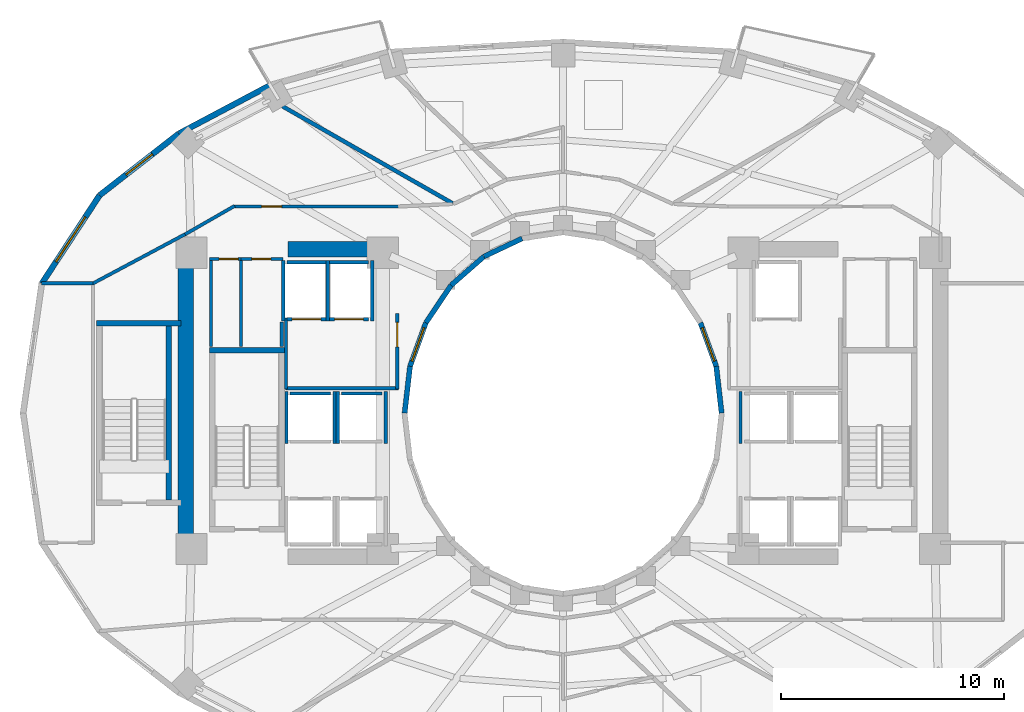
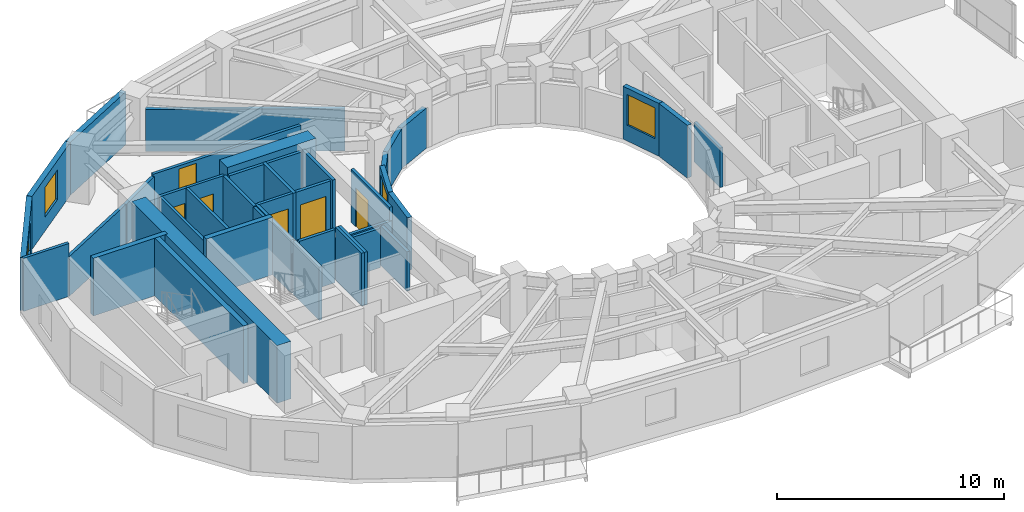
# One storey, part 8 of 14: 42 walls, 6 doors, 4 windows, 10 openings.
"""IFC4 building model written with IfcOpenShell, lengths in metres."""

from ifc_helpers import new_model, si_unit, direction, frame, frame_2d, origin, place, context, subcontext, project, spatial, rectangle, extrude, material, layer, layer_set, type_object, element, fill, save


model = new_model("IFC4")

# Units and contexts
model_context = context("Model", 3, precision=1e-05, world=origin(), true_north=direction((0.0, 1.0)))
body_context = subcontext(model_context, "Body", "Model", "MODEL_VIEW")
ifc_project = project(units=[si_unit("LENGTHUNIT", "METRE"), si_unit("AREAUNIT", "SQUARE_METRE"), si_unit("VOLUMEUNIT", "CUBIC_METRE"), si_unit("PLANEANGLEUNIT", "RADIAN"), si_unit("MASSUNIT", "GRAM", prefix="KILO")], contexts=[model_context])

# Site, building, storey
site_placement = place(None, origin())
site = spatial("IfcSite", under=ifc_project, at=site_placement, CompositionType="ELEMENT")
building_placement = place(site_placement, origin())
building = spatial("IfcBuilding", under=site, at=building_placement, Name="Solvane Sanctuary Tower", CompositionType="ELEMENT")
storey_placement = place(building_placement, frame((0.0, 0.0, 88.699951171875)))
storey = spatial("IfcBuildingStorey", under=building, at=storey_placement, Name="L26", CompositionType="ELEMENT", Elevation=88.699951171875)

# Walls
ifc_material_1 = material(Name="Concrete C60/75", Category="concrete")
ifc_layer_1 = layer(ifc_material_1, 0.699951171875, Name="Concrete C60/75")
ifc_layer_set_1 = layer_set([ifc_layer_1], Name="Concrete C60/75")
wall_type_1 = type_object("IfcWallType", Name="Wall W-CORE-700", PredefinedType="SHEAR", material=ifc_layer_set_1)
wall_1_placement = place(storey_placement, frame((15.050048828125, 17.050048828125, 0.0), z_axis=(0.0, 0.0, 1.0), x_axis=(0.0, 1.0, 0.0)))
element("IfcWall", 1, at=wall_1_placement, inside=storey, type_object=wall_type_1, Name="L26 Core Shear Wall WC-W", PredefinedType="SHEAR", context=body_context, shape_type="SweptSolid", body=[
    extrude(rectangle(XDim=12.800048828125, YDim=0.699951171875, at=frame_2d((6.39990234375, 0.0))), origin(), (0.0, 0.0, 1.0), 3.10009765625),
])
wall_2_placement = place(storey_placement, frame((19.64990234375, 30.35009765625, 0.0), z_axis=(0.0, 0.0, 1.0), x_axis=(1.0, 0.0, 0.0)))
element("IfcWall", 2, at=wall_2_placement, inside=storey, type_object=wall_type_1, Name="L26 Core Shear Wall WC-N", PredefinedType="SHEAR", context=body_context, shape_type="SweptSolid", body=[
    extrude(rectangle(XDim=4.5, YDim=0.699951171875, at=frame_2d((2.25, 0.0))), origin(), (0.0, 0.0, 1.0), 3.10009765625),
])
ifc_material_2 = material(Name="Acoustic Gypsum Partition Board")
ifc_layer_2 = layer(ifc_material_2, 0.14990234375, Name="Acoustic Gypsum Partition Board")
ifc_layer_set_2 = layer_set([ifc_layer_2], Name="Acoustic Gypsum Partition Board")
wall_type_2 = type_object("IfcWallType", Name="Wall W-CORR-150", PredefinedType="PARTITIONING", material=ifc_layer_set_2)
wall_3_placement = place(storey_placement, frame((19.52001953125, 24.1201171875, 0.0), z_axis=(0.0, 0.0, 1.0), x_axis=(1.0, 0.0, 0.0)))
element("IfcWall", 3, at=wall_3_placement, inside=storey, type_object=wall_type_2, Name="L26 West Firefighting Lobby South Wall", PredefinedType="PARTITIONING", context=body_context, shape_type="SweptSolid", body=[
    extrude(rectangle(XDim=5.080078125, YDim=0.14990234375, at=frame_2d((2.5400390625, 0.0))), origin(), (0.0, 0.0, 1.0), 2.1201171875),
])
wall_4_placement = place(storey_placement, frame((19.550048828125, 24.080078125, 0.0), z_axis=(0.0, 0.0, 1.0), x_axis=(0.0, 1.0, 0.0)))
element("IfcWall", 4, at=wall_4_placement, inside=storey, type_object=wall_type_2, Name="L26 West Firefighting Lobby West Wall", PredefinedType="PARTITIONING", context=body_context, shape_type="SweptSolid", body=[
    extrude(rectangle(XDim=3.199951171875, YDim=0.14990234375, at=frame_2d((1.60009765625, 0.0))), origin(), (0.0, 0.0, 1.0), 2.85498046875),
])

# Wall, opening, door
wall_5_placement = place(storey_placement, frame((24.550048828125, 24.080078125, 0.0), z_axis=(0.0, 0.0, 1.0), x_axis=(0.0, 1.0, 0.0)))
wall_5 = element("IfcWall", 5, at=wall_5_placement, inside=storey, type_object=wall_type_2, Name="L26 West Firefighting Lobby East Wall", PredefinedType="PARTITIONING", context=body_context, shape_type="SweptSolid", body=[
    extrude(rectangle(XDim=3.39990234375, YDim=0.14990234375, at=frame_2d((1.699951171875, 0.0))), origin(), (0.0, 0.0, 1.0), 2.85498046875),
])
opening_1_placement = place(wall_5_placement, frame((1.893798828125, 0.0, 0.0)))
opening_1 = element("IfcOpeningElement", 6, at=opening_1_placement, cuts=wall_5, Name="Opening D-L26-08", PredefinedType="OPENING", context=body_context, shape_type="SweptSolid", body=[
    extrude(rectangle(XDim=1.10009765625, YDim=2.10009765625, at=frame_2d((0.550048828125, 1.050048828125))), frame((0.0, 0.0849609375, 0.0), z_axis=(0.0, -1.0, 0.0), x_axis=(1.0, 0.0, 0.0)), (0.0, 0.0, 1.0), 0.169921875),
])
ifc_material_3 = material(Name="Architectural Stainless Steel 316", Category="steel")
door_type_1 = type_object("IfcDoorType", Name="Door D-FFL", OperationType="NOTDEFINED", PredefinedType="DOOR", material=ifc_material_3)
door_1_placement = place(opening_1_placement, origin())
door_1 = element("IfcDoor", 7, at=door_1_placement, inside=storey, type_object=door_type_1, Name="L26 West Firefighting Lobby Fire Door", OperationType="SINGLE_SWING_LEFT", OverallHeight=2.10009765625, OverallWidth=1.10009765625, PredefinedType="DOOR", context=body_context, shape_type="SweptSolid", body=[
    extrude(rectangle(XDim=1.10009765625, YDim=2.10009765625, at=frame_2d((0.550048828125, 1.050048828125))), frame((0.0, 0.02490234375, 0.0), z_axis=(0.0, -1.0, 0.0), x_axis=(1.0, 0.0, 0.0)), (0.0, 0.0, 1.0), 0.050048828125),
])
fill(opening_1, door_1)

# Walls
wall_6_placement = place(storey_placement, frame((8.558349609375, 28.8251953125, 0.0), z_axis=(0.0, 0.0, 1.0), x_axis=(1.0, 0.0, 0.0)))
element("IfcWall", 8, at=wall_6_placement, inside=storey, type_object=wall_type_2, Name="L26 West Shoulder North Wall", PredefinedType="PARTITIONING", context=body_context, shape_type="SweptSolid", body=[
    extrude(rectangle(XDim=2.321533203125, YDim=0.14990234375, at=frame_2d((1.16064453125, 0.0))), origin(), (0.0, 0.0, 1.0), 2.85498046875),
])
wall_7_placement = place(storey_placement, frame((10.8447265625, 28.806396484375, 0.0), z_axis=(0.0, 0.0, 1.0), x_axis=(0.88227840565, 0.470727962759, 0.0)))
element("IfcWall", 9, at=wall_7_placement, inside=storey, type_object=wall_type_2, Name="L26 NW Corner Closer 1", PredefinedType="PARTITIONING", context=body_context, shape_type="SweptSolid", body=[
    extrude(rectangle(XDim=4.806396484375, YDim=0.14990234375, at=frame_2d((2.4033203125, 0.0))), origin(), (0.0, 0.0, 1.0), 2.14208984375),
])

# Wall, opening, door
wall_8_placement = place(storey_placement, frame((17.14990234375, 32.280029296875, 0.0), z_axis=(0.0, 0.0, 1.0), x_axis=(1.0, 0.0, 0.0)))
wall_8 = element("IfcWall", 10, at=wall_8_placement, inside=storey, type_object=wall_type_2, Name="L26 NW Corner Corridor Wall", PredefinedType="PARTITIONING", context=body_context, shape_type="SweptSolid", body=[
    extrude(rectangle(XDim=7.52001953125, YDim=0.14990234375, at=frame_2d((3.760009765625, 0.0))), origin(), (0.0, 0.0, 1.0), 2.27197265625),
])
opening_2_placement = place(wall_8_placement, frame((1.300048828125, 0.0, 0.0)))
opening_2 = element("IfcOpeningElement", 11, at=opening_2_placement, cuts=wall_8, Name="Opening D-L26-17", PredefinedType="OPENING", context=body_context, shape_type="SweptSolid", body=[
    extrude(rectangle(XDim=0.89990234375, YDim=2.10009765625, at=frame_2d((0.449951171875, 1.050048828125))), frame((0.0, 0.0849609375, 0.0), z_axis=(0.0, -1.0, 0.0), x_axis=(1.0, 0.0, 0.0)), (0.0, 0.0, 1.0), 0.169921875),
])
ifc_material_4 = material(Name="Engineered Tropical Hardwood", Category="wood")
door_type_2 = type_object("IfcDoorType", Name="Door D-WET-900", OperationType="NOTDEFINED", PredefinedType="DOOR", material=ifc_material_4)
door_2_placement = place(opening_2_placement, origin())
door_2 = element("IfcDoor", 12, at=door_2_placement, inside=storey, type_object=door_type_2, Name="L26 NW Corner Salon Door", OperationType="SINGLE_SWING_RIGHT", OverallHeight=2.10009765625, OverallWidth=0.89990234375, PredefinedType="DOOR", context=body_context, shape_type="SweptSolid", body=[
    extrude(rectangle(XDim=0.89990234375, YDim=2.10009765625, at=frame_2d((0.449951171875, 1.050048828125))), frame((0.0, 0.02490234375, 0.0), z_axis=(0.0, -1.0, 0.0), x_axis=(1.0, 0.0, 0.0)), (0.0, 0.0, 1.0), 0.050048828125),
])
fill(opening_2, door_2)

# Walls
wall_9_placement = place(storey_placement, frame((17.243408203125, 32.3046875, 0.0), z_axis=(0.0, 0.0, 1.0), x_axis=(-0.867991349648, -0.496579315857, 0.0)))
element("IfcWall", 13, at=wall_9_placement, inside=storey, type_object=wall_type_2, Name="L26 NW Corner Wing Wall", PredefinedType="PARTITIONING", context=body_context, shape_type="SweptSolid", body=[
    extrude(rectangle(XDim=2.56689453125, YDim=0.14990234375, at=frame_2d((1.283447265625, 0.0))), origin(), (0.0, 0.0, 1.0), 2.14208984375),
])
ifc_material_5 = material(Name="Precast concrete C40/50", Category="concrete")
ifc_layer_3 = layer(ifc_material_5, 0.260009765625, Name="Precast concrete C40/50")
ifc_layer_set_3 = layer_set([ifc_layer_3], Name="Precast concrete C40/50")
wall_type_3 = type_object("IfcWallType", Name="Wall W-EXT-250", PredefinedType="STANDARD", material=ifc_layer_set_3)
wall_10_placement = place(storey_placement, frame((18.82666015625, 37.72119140625, 0.0), z_axis=(0.0, 0.0, 1.0), x_axis=(-0.883668636807, -0.4681129568, 0.0)))
element("IfcWall", 14, at=wall_10_placement, inside=storey, type_object=wall_type_3, Name="L26 Ceramic-Printed Facade Wall 08", PredefinedType="STANDARD", context=body_context, shape_type="SweptSolid", body=[
    extrude(rectangle(XDim=4.63134765625, YDim=0.260009765625, at=frame_2d((2.315673828125, 0.0))), origin(), (0.0, 0.0, 1.0), 2.85009765625),
])

# Wall, opening, window
wall_11_placement = place(storey_placement, frame((14.734130859375, 35.55322265625, 0.0), z_axis=(0.0, 0.0, 1.0), x_axis=(-0.789127449954, -0.614229491094, 0.0)))
wall_11 = element("IfcWall", 15, at=wall_11_placement, inside=storey, type_object=wall_type_3, Name="L26 Ceramic-Printed Facade Wall 09", PredefinedType="STANDARD", context=body_context, shape_type="SweptSolid", body=[
    extrude(rectangle(XDim=4.504638671875, YDim=0.260009765625, at=frame_2d((2.25244140625, 0.0))), origin(), (0.0, 0.0, 1.0), 2.85009765625),
])
opening_3_placement = place(wall_11_placement, frame((1.502197265625, 0.0, 0.75)))
opening_3 = element("IfcOpeningElement", 16, at=opening_3_placement, cuts=wall_11, Name="Opening WN-OPER-1500", PredefinedType="OPENING", context=body_context, shape_type="SweptSolid", body=[
    extrude(rectangle(XDim=1.5, YDim=1.60009765625, at=frame_2d((0.75, 0.800048828125))), frame((0.0, 0.139892578125, 0.0), z_axis=(0.0, -1.0, 0.0), x_axis=(1.0, 0.0, 0.0)), (0.0, 0.0, 1.0), 0.280029296875),
])
ifc_material_6 = material(Name="Dark Ceramic-Fritted Low-E Glass", Category="glass")
window_type_1 = type_object("IfcWindowType", Name="Window WN-OPER-1500", PartitioningType="SINGLE_PANEL", PredefinedType="WINDOW", material=ifc_material_6)
window_1_placement = place(opening_3_placement, origin())
window_1 = element("IfcWindow", 17, at=window_1_placement, inside=storey, type_object=window_type_1, Name="L26 Operable Facade Window 09", OverallHeight=1.60009765625, OverallWidth=1.5, PartitioningType="SINGLE_PANEL", PredefinedType="WINDOW", context=body_context, shape_type="SweptSolid", body=[
    extrude(rectangle(XDim=1.5, YDim=1.60009765625, at=frame_2d((0.75, 0.800048828125))), frame((0.0, 0.030029296875, 0.0), z_axis=(0.0, -1.0, 0.0), x_axis=(1.0, 0.0, 0.0)), (0.0, 0.0, 1.0), 0.06005859375),
])
fill(opening_3, window_1)

wall_12_placement = place(storey_placement, frame((11.179443359375, 32.786376953125, 0.0), z_axis=(0.0, 0.0, 1.0), x_axis=(-0.548283220945, -0.836292717672, 0.0)))
wall_12 = element("IfcWall", 18, at=wall_12_placement, inside=storey, type_object=wall_type_3, Name="L26 Ceramic-Printed Facade Wall 10", PredefinedType="STANDARD", context=body_context, shape_type="SweptSolid", body=[
    extrude(rectangle(XDim=4.744384765625, YDim=0.260009765625, at=frame_2d((2.3720703125, 0.0))), origin(), (0.0, 0.0, 1.0), 2.85009765625),
])
opening_4_placement = place(wall_12_placement, frame((1.172119140625, 0.0, 0.75)))
opening_4 = element("IfcOpeningElement", 19, at=opening_4_placement, cuts=wall_12, Name="Opening WN-RIB-2400", PredefinedType="OPENING", context=body_context, shape_type="SweptSolid", body=[
    extrude(rectangle(XDim=2.39990234375, YDim=1.699951171875, at=frame_2d((1.199951171875, 0.85009765625))), frame((0.0, 0.139892578125, 0.0), z_axis=(0.0, -1.0, 0.0), x_axis=(1.0, 0.0, 0.0)), (0.0, 0.0, 1.0), 0.280029296875),
])
window_type_2 = type_object("IfcWindowType", Name="Window WN-RIB-2400", PartitioningType="SINGLE_PANEL", PredefinedType="WINDOW", material=ifc_material_6)
window_2_placement = place(opening_4_placement, origin())
window_2 = element("IfcWindow", 20, at=window_2_placement, inside=storey, type_object=window_type_2, Name="L26 Operable Facade Window 10", OverallHeight=1.699951171875, OverallWidth=2.39990234375, PartitioningType="SINGLE_PANEL", PredefinedType="WINDOW", context=body_context, shape_type="SweptSolid", body=[
    extrude(rectangle(XDim=2.39990234375, YDim=1.699951171875, at=frame_2d((1.199951171875, 0.85009765625))), frame((0.0, 0.030029296875, 0.0), z_axis=(0.0, -1.0, 0.0), x_axis=(1.0, 0.0, 0.0)), (0.0, 0.0, 1.0), 0.06005859375),
])
fill(opening_4, window_2)

# Wall
ifc_layer_4 = layer(ifc_material_5, 0.22998046875, Name="Precast concrete C40/50")
ifc_layer_set_4 = layer_set([ifc_layer_4], Name="Precast concrete C40/50")
wall_type_4 = type_object("IfcWallType", Name="Wall W-EXT-SP220", PredefinedType="STANDARD", material=ifc_layer_set_4)
wall_13_placement = place(storey_placement, frame((39.1201171875, 23.0, 0.0), z_axis=(0.0, 0.0, 1.0), x_axis=(-0.114711713601, 0.993398823617, 0.0)))
element("IfcWall", 21, at=wall_13_placement, inside=storey, type_object=wall_type_4, Name="L26 Central Light-Well Wall 00", PredefinedType="STANDARD", context=body_context, shape_type="SweptSolid", body=[
    extrude(rectangle(XDim=2.115478515625, YDim=0.22998046875, at=frame_2d((1.0576171875, 0.0))), origin(), (0.0, 0.0, 1.0), 2.840087890625),
])

# Wall, opening, window
wall_14_placement = place(storey_placement, frame((38.87744140625, 25.1015625, 0.0), z_axis=(0.0, 0.0, 1.0), x_axis=(-0.341423187295, 0.93990968033, 0.0)))
wall_14 = element("IfcWall", 22, at=wall_14_placement, inside=storey, type_object=wall_type_4, Name="L26 Central Light-Well Wall 01", PredefinedType="STANDARD", context=body_context, shape_type="SweptSolid", body=[
    extrude(rectangle(XDim=2.083740234375, YDim=0.22998046875, at=frame_2d((1.0419921875, 0.0))), origin(), (0.0, 0.0, 1.0), 2.840087890625),
])
opening_5_placement = place(wall_14_placement, frame((0.24169921875, 0.0, 0.85009765625)))
opening_5 = element("IfcOpeningElement", 23, at=opening_5_placement, cuts=wall_14, Name="Opening WN-WELL-1600", PredefinedType="OPENING", context=body_context, shape_type="SweptSolid", body=[
    extrude(rectangle(XDim=1.60009765625, YDim=1.64990234375, at=frame_2d((0.800048828125, 0.824951171875))), frame((0.0, 0.125, 0.0), z_axis=(0.0, -1.0, 0.0), x_axis=(1.0, 0.0, 0.0)), (0.0, 0.0, 1.0), 0.25),
])
ifc_material_7 = material(Name="Clear Laminated Light-Well Glass", Category="glass")
window_type_3 = type_object("IfcWindowType", Name="Window WN-WELL-1600", PartitioningType="SINGLE_PANEL", PredefinedType="WINDOW", material=ifc_material_7)
window_3_placement = place(opening_5_placement, origin())
window_3 = element("IfcWindow", 24, at=window_3_placement, inside=storey, type_object=window_type_3, Name="L26 Light-Well Daylight Window 01", OverallHeight=1.64990234375, OverallWidth=1.60009765625, PartitioningType="SINGLE_PANEL", PredefinedType="WINDOW", context=body_context, shape_type="SweptSolid", body=[
    extrude(rectangle(XDim=1.60009765625, YDim=1.64990234375, at=frame_2d((0.800048828125, 0.824951171875))), frame((0.0, 0.030029296875, 0.0), z_axis=(0.0, -1.0, 0.0), x_axis=(1.0, 0.0, 0.0)), (0.0, 0.0, 1.0), 0.06005859375),
])
fill(opening_5, window_3)

# Walls
wall_15_placement = place(storey_placement, frame((30.1572265625, 30.84326171875, 0.0), z_axis=(0.0, 0.0, 1.0), x_axis=(-0.904179699603, -0.427152280606, 0.0)))
element("IfcWall", 25, at=wall_15_placement, inside=storey, type_object=wall_type_4, Name="L26 Central Light-Well Wall 07", PredefinedType="STANDARD", context=body_context, shape_type="SweptSolid", body=[
    extrude(rectangle(XDim=1.899169921875, YDim=0.22998046875, at=frame_2d((0.94970703125, 0.0))), origin(), (0.0, 0.0, 1.0), 2.16015625),
])
wall_16_placement = place(storey_placement, frame((28.43994140625, 30.031982421875, 0.0), z_axis=(0.0, 0.0, 1.0), x_axis=(-0.752576694707, -0.658504607869, 0.0)))
element("IfcWall", 26, at=wall_16_placement, inside=storey, type_object=wall_type_4, Name="L26 Central Light-Well Wall 08", PredefinedType="STANDARD", context=body_context, shape_type="SweptSolid", body=[
    extrude(rectangle(XDim=1.95947265625, YDim=0.22998046875, at=frame_2d((0.979736328125, 0.0))), origin(), (0.0, 0.0, 1.0), 2.16015625),
])
wall_17_placement = place(storey_placement, frame((26.96533203125, 28.74169921875, 0.0), z_axis=(0.0, 0.0, 1.0), x_axis=(-0.558197800898, -0.829707909492, 0.0)))
element("IfcWall", 27, at=wall_17_placement, inside=storey, type_object=wall_type_4, Name="L26 Central Light-Well Wall 09", PredefinedType="STANDARD", context=body_context, shape_type="SweptSolid", body=[
    extrude(rectangle(XDim=2.02685546875, YDim=0.22998046875, at=frame_2d((1.013427734375, 0.0))), origin(), (0.0, 0.0, 1.0), 2.16015625),
])

# Wall, opening, window
wall_18_placement = place(storey_placement, frame((25.833984375, 27.06005859375, 0.0), z_axis=(0.0, 0.0, 1.0), x_axis=(-0.341423187295, -0.93990968033, 0.0)))
wall_18 = element("IfcWall", 28, at=wall_18_placement, inside=storey, type_object=wall_type_4, Name="L26 Central Light-Well Wall 10", PredefinedType="STANDARD", context=body_context, shape_type="SweptSolid", body=[
    extrude(rectangle(XDim=2.083740234375, YDim=0.22998046875, at=frame_2d((1.0419921875, 0.0))), origin(), (0.0, 0.0, 1.0), 2.840087890625),
])
opening_6_placement = place(wall_18_placement, frame((0.24169921875, 0.0, 0.85009765625)))
opening_6 = element("IfcOpeningElement", 29, at=opening_6_placement, cuts=wall_18, Name="Opening WN-WELL-1600", PredefinedType="OPENING", context=body_context, shape_type="SweptSolid", body=[
    extrude(rectangle(XDim=1.60009765625, YDim=1.64990234375, at=frame_2d((0.800048828125, 0.824951171875))), frame((0.0, 0.125, 0.0), z_axis=(0.0, -1.0, 0.0), x_axis=(1.0, 0.0, 0.0)), (0.0, 0.0, 1.0), 0.25),
])
window_4_placement = place(opening_6_placement, origin())
window_4 = element("IfcWindow", 30, at=window_4_placement, inside=storey, type_object=window_type_3, Name="L26 Light-Well Daylight Window 10", OverallHeight=1.64990234375, OverallWidth=1.60009765625, PartitioningType="SINGLE_PANEL", PredefinedType="WINDOW", context=body_context, shape_type="SweptSolid", body=[
    extrude(rectangle(XDim=1.60009765625, YDim=1.64990234375, at=frame_2d((0.800048828125, 0.824951171875))), frame((0.0, 0.030029296875, 0.0), z_axis=(0.0, -1.0, 0.0), x_axis=(1.0, 0.0, 0.0)), (0.0, 0.0, 1.0), 0.06005859375),
])
fill(opening_6, window_4)

# Walls
wall_19_placement = place(storey_placement, frame((25.12255859375, 25.1015625, 0.0), z_axis=(0.0, 0.0, 1.0), x_axis=(-0.114711713601, -0.993398823617, 0.0)))
element("IfcWall", 31, at=wall_19_placement, inside=storey, type_object=wall_type_4, Name="L26 Central Light-Well Wall 11", PredefinedType="STANDARD", context=body_context, shape_type="SweptSolid", body=[
    extrude(rectangle(XDim=2.115478515625, YDim=0.22998046875, at=frame_2d((1.0576171875, 0.0))), origin(), (0.0, 0.0, 1.0), 2.840087890625),
])
ifc_material_8 = material(Name="Concrete C50/60", Category="concrete")
ifc_layer_5 = layer(ifc_material_8, 0.14990234375, Name="Concrete C50/60")
ifc_layer_set_5 = layer_set([ifc_layer_5], Name="Concrete C50/60")
wall_type_5 = type_object("IfcWallType", Name="Wall W-SHAFT-150", PredefinedType="SOLIDWALL", material=ifc_layer_set_5)
wall_20_placement = place(storey_placement, frame((19.739990234375, 23.8798828125, 0.0), z_axis=(0.0, 0.0, 1.0), x_axis=(1.0, 0.0, 0.0)))
element("IfcWall", 32, at=wall_20_placement, inside=storey, type_object=wall_type_5, Name="L26 PM-1 Lift Shaft Wall B", PredefinedType="SOLIDWALL", context=body_context, shape_type="SweptSolid", body=[
    extrude(rectangle(XDim=1.820068359375, YDim=0.14990234375, at=frame_2d((0.91015625, 0.0))), origin(), (0.0, 0.0, 1.0), 2.85498046875),
])
for number, where, z_axis, x_axis, name in (
    (33, (19.570068359375, 21.639892578125, 0.0), (0.0, 0.0, 1.0), (0.0, 1.0, 0.0), "L26 PM-1 Lift Shaft Wall S1"),
    (34, (21.72998046875, 21.639892578125, 0.0), (0.0, 0.0, 1.0), (0.0, 1.0, 0.0), "L26 PM-1 Lift Shaft Wall S2"),
):
    element("IfcWall", number, at=place(storey_placement, frame(where, z_axis=z_axis, x_axis=x_axis)), inside=storey, type_object=wall_type_5, Name=name, PredefinedType="SOLIDWALL", context=body_context, shape_type="SweptSolid", body=[
        extrude(rectangle(XDim=2.320068359375, YDim=0.14990234375, at=frame_2d((1.16015625, 0.0))), origin(), (0.0, 0.0, 1.0), 2.85498046875),
    ])
wall_21_placement = place(storey_placement, frame((22.0400390625, 23.8798828125, 0.0), z_axis=(0.0, 0.0, 1.0), x_axis=(1.0, 0.0, 0.0)))
element("IfcWall", 35, at=wall_21_placement, inside=storey, type_object=wall_type_5, Name="L26 PH-1 Lift Shaft Wall B", PredefinedType="SOLIDWALL", context=body_context, shape_type="SweptSolid", body=[
    extrude(rectangle(XDim=1.820068359375, YDim=0.14990234375, at=frame_2d((0.91015625, 0.0))), origin(), (0.0, 0.0, 1.0), 2.1201171875),
])
wall_22_placement = place(storey_placement, frame((21.8701171875, 21.639892578125, 0.0), z_axis=(0.0, 0.0, 1.0), x_axis=(0.0, 1.0, 0.0)))
element("IfcWall", 36, at=wall_22_placement, inside=storey, type_object=wall_type_5, Name="L26 PH-1 Lift Shaft Wall S1", PredefinedType="SOLIDWALL", context=body_context, shape_type="SweptSolid", body=[
    extrude(rectangle(XDim=2.320068359375, YDim=0.14990234375, at=frame_2d((1.16015625, 0.0))), origin(), (0.0, 0.0, 1.0), 2.85498046875),
])
for number, where, z_axis, x_axis, name in (
    (37, (24.030029296875, 21.639892578125, 0.0), (0.0, 0.0, 1.0), (0.0, 1.0, 0.0), "L26 PH-1 Lift Shaft Wall S2"),
    (38, (39.969970703125, 21.639892578125, 0.0), (0.0, 0.0, 1.0), (0.0, 1.0, 0.0), "L26 PH-2 Lift Shaft Wall S1"),
):
    element("IfcWall", number, at=place(storey_placement, frame(where, z_axis=z_axis, x_axis=x_axis)), inside=storey, type_object=wall_type_5, Name=name, PredefinedType="SOLIDWALL", context=body_context, shape_type="SweptSolid", body=[
        extrude(rectangle(XDim=2.320068359375, YDim=0.14990234375, at=frame_2d((1.16015625, 0.0))), origin(), (0.0, 0.0, 1.0), 2.1201171875),
    ])

# Wall, opening, door
wall_23_placement = place(storey_placement, frame((19.590087890625, 27.219970703125, 0.0), z_axis=(0.0, 0.0, 1.0), x_axis=(1.0, 0.0, 0.0)))
wall_23 = element("IfcWall", 39, at=wall_23_placement, inside=storey, type_object=wall_type_5, Name="L26 FFL-1 Lift Shaft Wall F", PredefinedType="SOLIDWALL", context=body_context, shape_type="SweptSolid", body=[
    extrude(rectangle(XDim=1.760009765625, YDim=0.14990234375, at=frame_2d((0.8798828125, 0.0))), origin(), (0.0, 0.0, 1.0), 2.85498046875),
])
opening_7_placement = place(wall_23_placement, frame((0.22998046875, 0.0, 0.0)))
opening_7 = element("IfcOpeningElement", 40, at=opening_7_placement, cuts=wall_23, Name="Opening LD-L26-05", PredefinedType="OPENING", context=body_context, shape_type="SweptSolid", body=[
    extrude(rectangle(XDim=1.300048828125, YDim=2.10009765625, at=frame_2d((0.64990234375, 1.050048828125))), frame((0.0, 0.0849609375, 0.0), z_axis=(0.0, -1.0, 0.0), x_axis=(1.0, 0.0, 0.0)), (0.0, 0.0, 1.0), 0.169921875),
])
door_type_3 = type_object("IfcDoorType", Name="Door LD-FFL-1300", OperationType="NOTDEFINED", PredefinedType="DOOR", material=ifc_material_3)
door_3_placement = place(opening_7_placement, origin())
door_3 = element("IfcDoor", 41, at=door_3_placement, inside=storey, type_object=door_type_3, Name="L26 FFL-1 Lift Landing Door", OperationType="DOUBLE_DOOR_SLIDING", OverallHeight=2.10009765625, OverallWidth=1.300048828125, PredefinedType="DOOR", context=body_context, shape_type="SweptSolid", body=[
    extrude(rectangle(XDim=1.300048828125, YDim=2.10009765625, at=frame_2d((0.64990234375, 1.050048828125))), frame((0.0, 0.02490234375, 0.0), z_axis=(0.0, -1.0, 0.0), x_axis=(1.0, 0.0, 0.0)), (0.0, 0.0, 1.0), 0.050048828125),
])
fill(opening_7, door_3)

# Walls
wall_24_placement = place(storey_placement, frame((19.590087890625, 29.780029296875, 0.0), z_axis=(0.0, 0.0, 1.0), x_axis=(1.0, 0.0, 0.0)))
element("IfcWall", 42, at=wall_24_placement, inside=storey, type_object=wall_type_5, Name="L26 FFL-1 Lift Shaft Wall B", PredefinedType="SOLIDWALL", context=body_context, shape_type="SweptSolid", body=[
    extrude(rectangle(XDim=1.760009765625, YDim=0.14990234375, at=frame_2d((0.8798828125, 0.0))), origin(), (0.0, 0.0, 1.0), 2.85498046875),
])
for number, where, z_axis, x_axis, name in (
    (43, (19.419921875, 27.139892578125, 0.0), (0.0, 0.0, 1.0), (0.0, 1.0, 0.0), "L26 FFL-1 Lift Shaft Wall S1"),
    (44, (21.425048828125, 27.139892578125, 0.0), (0.0, 0.0, 1.0), (0.0, 1.0, 0.0), "L26 FFL-1 Lift Shaft Wall S2"),
):
    element("IfcWall", number, at=place(storey_placement, frame(where, z_axis=z_axis, x_axis=x_axis)), inside=storey, type_object=wall_type_5, Name=name, PredefinedType="SOLIDWALL", context=body_context, shape_type="SweptSolid", body=[
        extrude(rectangle(XDim=2.72021484375, YDim=0.14990234375, at=frame_2d((1.360107421875, 0.0))), origin(), (0.0, 0.0, 1.0), 2.85498046875),
    ])

# Wall, opening, door
wall_25_placement = place(storey_placement, frame((21.5, 27.219970703125, 0.0), z_axis=(0.0, 0.0, 1.0), x_axis=(1.0, 0.0, 0.0)))
wall_25 = element("IfcWall", 45, at=wall_25_placement, inside=storey, type_object=wall_type_5, Name="L26 SVL-1 Lift Shaft Wall F", PredefinedType="SOLIDWALL", context=body_context, shape_type="SweptSolid", body=[
    extrude(rectangle(XDim=1.760009765625, YDim=0.14990234375, at=frame_2d((0.8798828125, 0.0))), origin(), (0.0, 0.0, 1.0), 2.85498046875),
])
opening_8_placement = place(wall_25_placement, frame((0.22998046875, 0.0, 0.0)))
opening_8 = element("IfcOpeningElement", 46, at=opening_8_placement, cuts=wall_25, Name="Opening LD-L26-06", PredefinedType="OPENING", context=body_context, shape_type="SweptSolid", body=[
    extrude(rectangle(XDim=1.300048828125, YDim=2.10009765625, at=frame_2d((0.64990234375, 1.050048828125))), frame((0.0, 0.0849609375, 0.0), z_axis=(0.0, -1.0, 0.0), x_axis=(1.0, 0.0, 0.0)), (0.0, 0.0, 1.0), 0.169921875),
])
door_4_placement = place(opening_8_placement, origin())
door_4 = element("IfcDoor", 47, at=door_4_placement, inside=storey, type_object=door_type_3, Name="L26 SVL-1 Lift Landing Door", OperationType="DOUBLE_DOOR_SLIDING", OverallHeight=2.10009765625, OverallWidth=1.300048828125, PredefinedType="DOOR", context=body_context, shape_type="SweptSolid", body=[
    extrude(rectangle(XDim=1.300048828125, YDim=2.10009765625, at=frame_2d((0.64990234375, 1.050048828125))), frame((0.0, 0.02490234375, 0.0), z_axis=(0.0, -1.0, 0.0), x_axis=(1.0, 0.0, 0.0)), (0.0, 0.0, 1.0), 0.050048828125),
])
fill(opening_8, door_4)

# Walls
wall_26_placement = place(storey_placement, frame((21.5, 29.780029296875, 0.0), z_axis=(0.0, 0.0, 1.0), x_axis=(1.0, 0.0, 0.0)))
element("IfcWall", 48, at=wall_26_placement, inside=storey, type_object=wall_type_5, Name="L26 SVL-1 Lift Shaft Wall B", PredefinedType="SOLIDWALL", context=body_context, shape_type="SweptSolid", body=[
    extrude(rectangle(XDim=1.760009765625, YDim=0.14990234375, at=frame_2d((0.8798828125, 0.0))), origin(), (0.0, 0.0, 1.0), 2.85498046875),
])
wall_27_placement = place(storey_placement, frame((23.429931640625, 27.139892578125, 0.0), z_axis=(0.0, 0.0, 1.0), x_axis=(0.0, 1.0, 0.0)))
element("IfcWall", 49, at=wall_27_placement, inside=storey, type_object=wall_type_5, Name="L26 SVL-1 Lift Shaft Wall S2", PredefinedType="SOLIDWALL", context=body_context, shape_type="SweptSolid", body=[
    extrude(rectangle(XDim=2.72021484375, YDim=0.14990234375, at=frame_2d((1.360107421875, 0.0))), origin(), (0.0, 0.0, 1.0), 2.85498046875),
])
ifc_layer_6 = layer(ifc_material_8, 0.25, Name="Concrete C50/60")
ifc_layer_set_6 = layer_set([ifc_layer_6], Name="Concrete C50/60")
wall_type_6 = type_object("IfcWallType", Name="Wall W-SHAFT-250", PredefinedType="SOLIDWALL", material=ifc_layer_set_6)
wall_28_placement = place(storey_placement, frame((16.10498046875, 25.830078125, 0.0), z_axis=(0.0, 0.0, 1.0), x_axis=(1.0, 0.0, 0.0)))
element("IfcWall", 50, at=wall_28_placement, inside=storey, type_object=wall_type_6, Name="L26 ST-1 Load-Bearing Shaft Wall N", PredefinedType="SOLIDWALL", context=body_context, shape_type="SweptSolid", body=[
    extrude(rectangle(XDim=3.3701171875, YDim=0.25, at=frame_2d((1.68505859375, 0.0))), origin(), (0.0, 0.0, 1.0), 3.10009765625),
])
wall_29_placement = place(storey_placement, frame((11.044921875, 27.030029296875, 0.0), z_axis=(0.0, 0.0, 1.0), x_axis=(1.0, 0.0, 0.0)))
element("IfcWall", 51, at=wall_29_placement, inside=storey, type_object=wall_type_6, Name="L26 ST-3 Load-Bearing Shaft Wall N", PredefinedType="SOLIDWALL", context=body_context, shape_type="SweptSolid", body=[
    extrude(rectangle(XDim=3.781982421875, YDim=0.25, at=frame_2d((1.89111328125, 0.0))), origin(), (0.0, 0.0, 1.0), 3.10009765625),
])
wall_30_placement = place(storey_placement, frame((14.2900390625, 19.094970703125, 0.0), z_axis=(0.0, 0.0, 1.0), x_axis=(0.0, 1.0, 0.0)))
element("IfcWall", 52, at=wall_30_placement, inside=storey, type_object=wall_type_6, Name="L26 ST-3 Load-Bearing Shaft Wall E", PredefinedType="SOLIDWALL", context=body_context, shape_type="SweptSolid", body=[
    extrude(rectangle(XDim=7.81005859375, YDim=0.25, at=frame_2d((3.905029296875, 0.0))), origin(), (0.0, 0.0, 1.0), 3.10009765625),
])
ifc_layer_7 = layer(ifc_material_2, 0.179931640625, Name="Acoustic Gypsum Partition Board")
ifc_layer_set_7 = layer_set([ifc_layer_7], Name="Acoustic Gypsum Partition Board")
wall_type_7 = type_object("IfcWallType", Name="Wall W-UNIT-180", PredefinedType="PARTITIONING", material=ifc_layer_set_7)
wall_31_placement = place(storey_placement, frame((27.027099609375, 32.423583984375, 0.0), z_axis=(0.0, 0.0, 1.0), x_axis=(-0.868484076301, 0.495717065685, 0.0)))
element("IfcWall", 53, at=wall_31_placement, inside=storey, type_object=wall_type_7, Name="L26 Radial Compartment Wall 120", PredefinedType="PARTITIONING", context=body_context, shape_type="SweptSolid", body=[
    extrude(rectangle(XDim=8.78857421875, YDim=0.179931640625, at=frame_2d((4.394287109375, 0.0))), origin(), (0.0, 0.0, 1.0), 2.27197265625),
])

# Wall, opening, door
ifc_layer_8 = layer(ifc_material_2, 0.139892578125, Name="Acoustic Gypsum Partition Board")
ifc_layer_set_8 = layer_set([ifc_layer_8], Name="Acoustic Gypsum Partition Board")
wall_type_8 = type_object("IfcWallType", Name="Wall W-WET-140", PredefinedType="PLUMBINGWALL", material=ifc_layer_set_8)
wall_32_placement = place(storey_placement, frame((16.1201171875, 29.919921875, 0.0), z_axis=(0.0, 0.0, 1.0), x_axis=(1.0, 0.0, 0.0)))
wall_32 = element("IfcWall", 54, at=wall_32_placement, inside=storey, type_object=wall_type_8, Name="L26 Core Service Front Wall KW1", PredefinedType="PLUMBINGWALL", context=body_context, shape_type="SweptSolid", body=[
    extrude(rectangle(XDim=1.39990234375, YDim=0.139892578125, at=frame_2d((0.699951171875, 0.0))), origin(), (0.0, 0.0, 1.0), 2.85498046875),
])
opening_9_placement = place(wall_32_placement, frame((0.429931640625, 0.0, 0.0)))
opening_9 = element("IfcOpeningElement", 55, at=opening_9_placement, cuts=wall_32, Name="Opening D-L26-10", PredefinedType="OPENING", context=body_context, shape_type="SweptSolid", body=[
    extrude(rectangle(XDim=0.85009765625, YDim=2.050048828125, at=frame_2d((0.425048828125, 1.02490234375))), frame((0.0, 0.079833984375, 0.0), z_axis=(0.0, -1.0, 0.0), x_axis=(1.0, 0.0, 0.0)), (0.0, 0.0, 1.0), 0.159912109375),
])
door_type_4 = type_object("IfcDoorType", Name="Door D-RISER", OperationType="NOTDEFINED", PredefinedType="DOOR", material=ifc_material_3)
door_5_placement = place(opening_9_placement, origin())
door_5 = element("IfcDoor", 56, at=door_5_placement, inside=storey, type_object=door_type_4, Name="L26 Core Service Room Door KW1-1", OperationType="SINGLE_SWING_LEFT", OverallHeight=2.050048828125, OverallWidth=0.85009765625, PredefinedType="DOOR", context=body_context, shape_type="SweptSolid", body=[
    extrude(rectangle(XDim=0.85009765625, YDim=2.050048828125, at=frame_2d((0.425048828125, 1.02490234375))), frame((0.0, 0.02490234375, 0.0), z_axis=(0.0, -1.0, 0.0), x_axis=(1.0, 0.0, 0.0)), (0.0, 0.0, 1.0), 0.050048828125),
])
fill(opening_9, door_5)

# Walls
for number, where, z_axis, x_axis, name in (
    (57, (16.179931640625, 25.97998046875, 0.0), (0.0, 0.0, 1.0), (0.0, 1.0, 0.0), "L26 Core Service Side Wall KW1-1"),
    (58, (17.52001953125, 25.97998046875, 0.0), (0.0, 0.0, 1.0), (0.0, 1.0, 0.0), "L26 Core Service Side Wall KW1-2"),
):
    element("IfcWall", number, at=place(storey_placement, frame(where, z_axis=z_axis, x_axis=x_axis)), inside=storey, type_object=wall_type_8, Name=name, PredefinedType="PLUMBINGWALL", context=body_context, shape_type="SweptSolid", body=[
        extrude(rectangle(XDim=3.880126953125, YDim=0.139892578125, at=frame_2d((1.93994140625, 0.0))), origin(), (0.0, 0.0, 1.0), 2.85498046875),
    ])

# Wall, opening, door
wall_33_placement = place(storey_placement, frame((17.52001953125, 29.919921875, 0.0), z_axis=(0.0, 0.0, 1.0), x_axis=(1.0, 0.0, 0.0)))
wall_33 = element("IfcWall", 59, at=wall_33_placement, inside=storey, type_object=wall_type_8, Name="L26 Core Service Front Wall KW2", PredefinedType="PLUMBINGWALL", context=body_context, shape_type="SweptSolid", body=[
    extrude(rectangle(XDim=1.89990234375, YDim=0.139892578125, at=frame_2d((0.949951171875, 0.0))), origin(), (0.0, 0.0, 1.0), 2.85498046875),
])
opening_10_placement = place(wall_33_placement, frame((0.5, 0.0, 0.0)))
opening_10 = element("IfcOpeningElement", 60, at=opening_10_placement, cuts=wall_33, Name="Opening D-L26-11", PredefinedType="OPENING", context=body_context, shape_type="SweptSolid", body=[
    extrude(rectangle(XDim=0.85009765625, YDim=2.050048828125, at=frame_2d((0.425048828125, 1.02490234375))), frame((0.0, 0.079833984375, 0.0), z_axis=(0.0, -1.0, 0.0), x_axis=(1.0, 0.0, 0.0)), (0.0, 0.0, 1.0), 0.159912109375),
])
door_6_placement = place(opening_10_placement, origin())
door_6 = element("IfcDoor", 61, at=door_6_placement, inside=storey, type_object=door_type_4, Name="L26 Core Service Room Door KW2-1", OperationType="SINGLE_SWING_RIGHT", OverallHeight=2.050048828125, OverallWidth=0.85009765625, PredefinedType="DOOR", context=body_context, shape_type="SweptSolid", body=[
    extrude(rectangle(XDim=0.85009765625, YDim=2.050048828125, at=frame_2d((0.425048828125, 1.02490234375))), frame((0.0, 0.02490234375, 0.0), z_axis=(0.0, -1.0, 0.0), x_axis=(1.0, 0.0, 0.0)), (0.0, 0.0, 1.0), 0.050048828125),
])
fill(opening_10, door_6)

# Wall
wall_34_placement = place(storey_placement, frame((19.360107421875, 25.97998046875, 0.0), z_axis=(0.0, 0.0, 1.0), x_axis=(0.0, 1.0, 0.0)))
element("IfcWall", 62, at=wall_34_placement, inside=storey, type_object=wall_type_8, Name="L26 Core Service Side Wall KW2-1", PredefinedType="PLUMBINGWALL", context=body_context, shape_type="SweptSolid", body=[
    extrude(rectangle(XDim=1.1201171875, YDim=0.139892578125, at=frame_2d((0.56005859375, 0.0))), origin(), (0.0, 0.0, 1.0), 2.85498046875),
])

save(model, "model.ifc")
